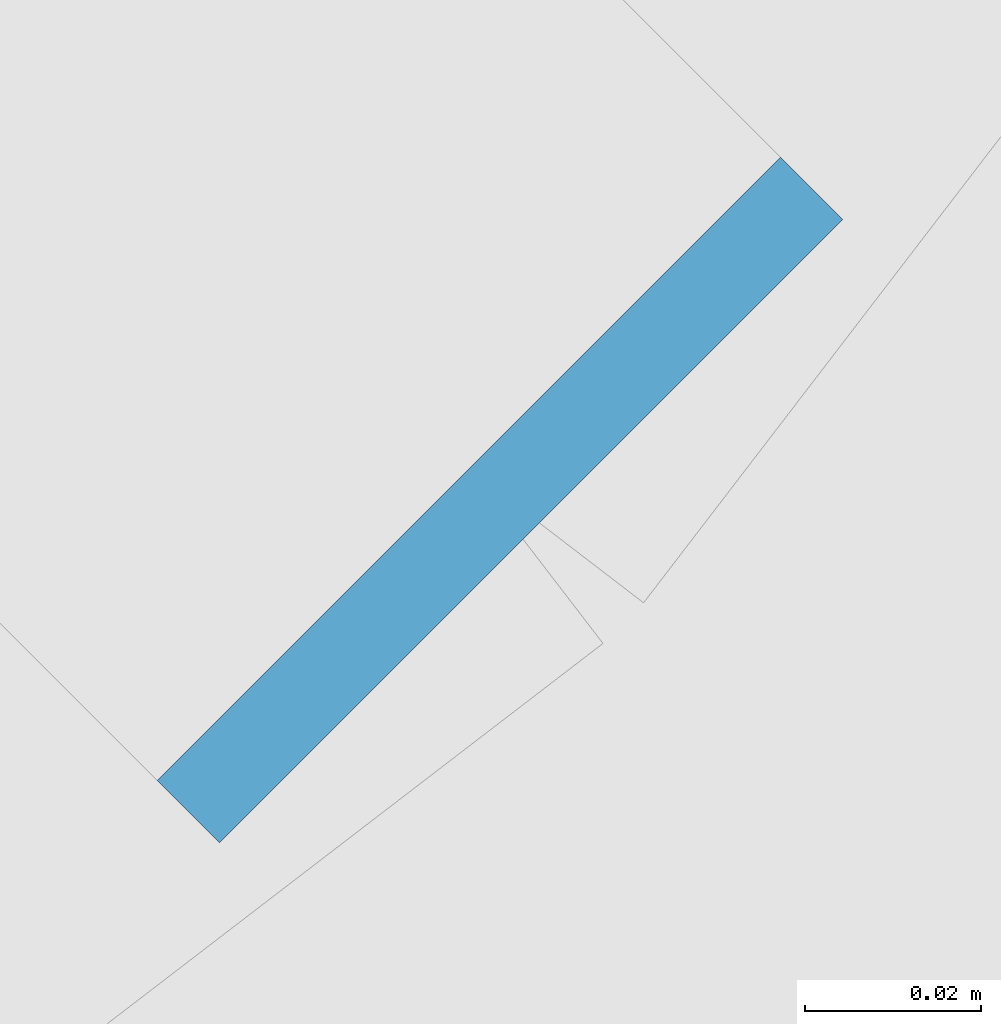
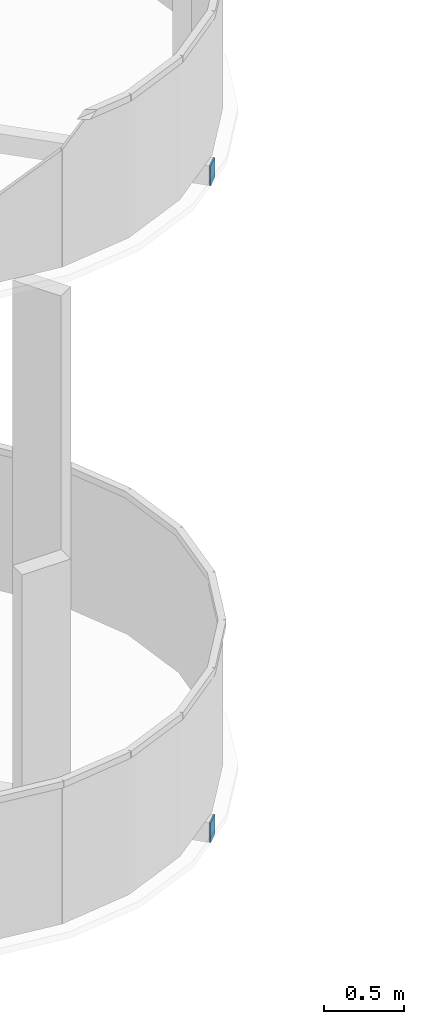
# One storey, part 17 of 25: 2 discrete accessories.
"""IFC4 building model written with IfcOpenShell, lengths in metres."""

from ifc_helpers import new_model, si_unit, direction, frame, origin, origin_2d, place, context, subcontext, project, spatial, rectangle, extrude, element, save


model = new_model("IFC4")

# Units and contexts
model_context = context("Model", 3, precision=1e-05, world=origin(), true_north=direction((0.0, 1.0)))
body_context = subcontext(model_context, "Body", "Model", "MODEL_VIEW")
ifc_project = project(units=[si_unit("LENGTHUNIT", "METRE"), si_unit("AREAUNIT", "SQUARE_METRE"), si_unit("VOLUMEUNIT", "CUBIC_METRE"), si_unit("PLANEANGLEUNIT", "RADIAN"), si_unit("MASSUNIT", "GRAM", prefix="KILO")], contexts=[model_context])

# Site, building, storey
site_placement = place(None, origin())
site = spatial("IfcSite", under=ifc_project, at=site_placement, CompositionType="ELEMENT")
building_placement = place(site_placement, origin())
building = spatial("IfcBuilding", under=site, at=building_placement, Name="Kolab Exchange Tower", CompositionType="ELEMENT")
storey_placement = place(building_placement, frame((0.0, 0.0, 301.89990234375)))
storey = spatial("IfcBuildingStorey", under=building, at=storey_placement, Name="L68", CompositionType="ELEMENT", Elevation=301.89990234375)

# Discrete accessories
for number, where, z_axis, x_axis, name in (
    (1, (1.414306640625, 12.8134765625, 42.706298828125), (0.707106781187, -0.707106781187, 0.0), (0.707106781187, 0.707106781187, 0.0), "Mast platform arm cap plate"),
    (2, (1.414306640625, 12.8134765625, 47.706298828125), (0.707106781187, -0.707106781187, 0.0), (0.707106781187, 0.707106781187, 0.0), "Mast platform arm cap plate"),
):
    element("IfcDiscreteAccessory", number, at=place(storey_placement, frame(where, z_axis=z_axis, x_axis=x_axis)), inside=storey, Name=name, ObjectType="END CAP PLATE", PredefinedType="USERDEFINED", context=body_context, shape_type="SweptSolid", body=[
        extrude(rectangle(XDim=0.10009765625, YDim=0.14990234375, at=origin_2d()), origin(), (0.0, 0.0, 1.0), 0.010009765625),
    ])

save(model, "model.ifc")
